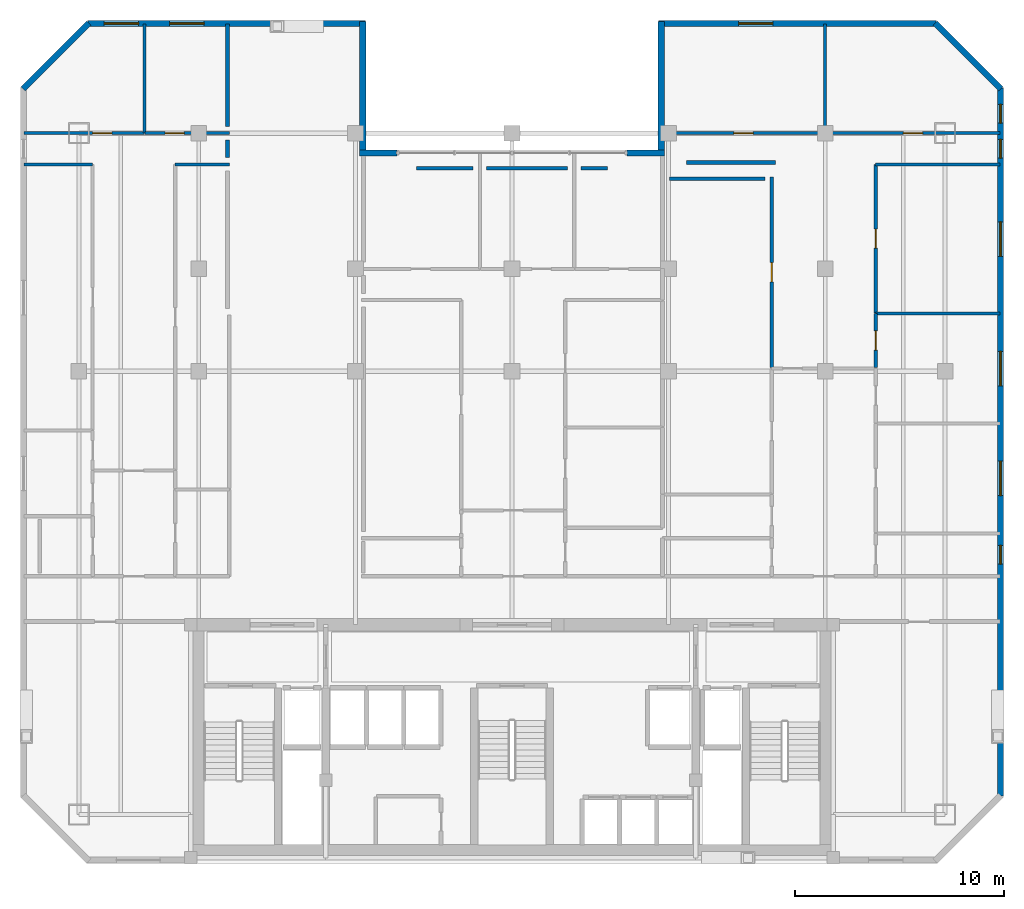
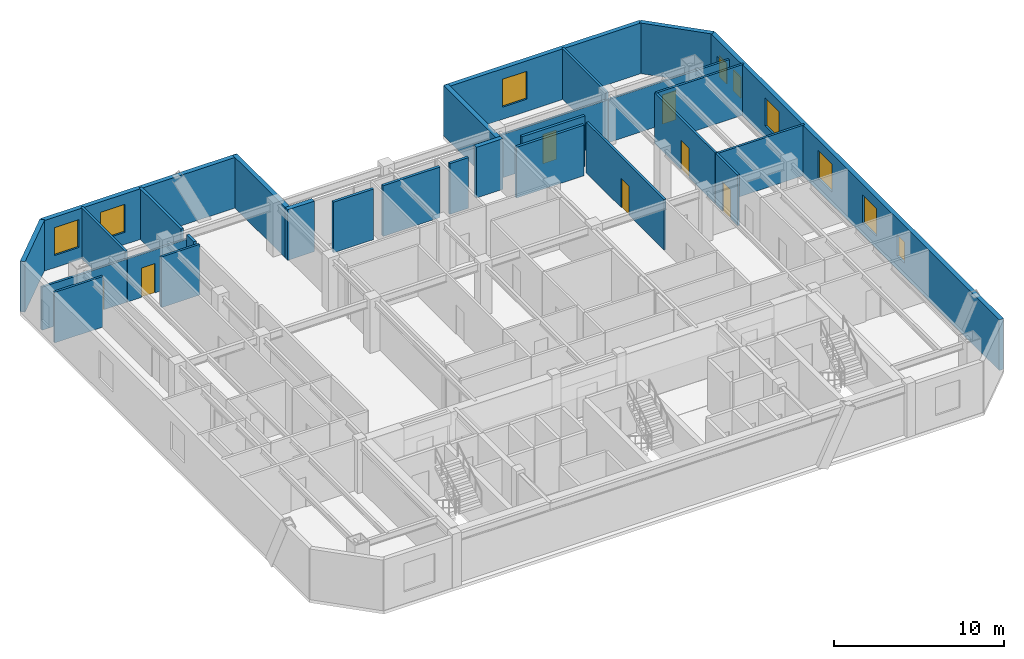
# One storey, part 8 of 10: 29 walls, 9 windows, 7 doors, 16 openings.
"""IFC4 building model written with IfcOpenShell, lengths in metres."""

from ifc_helpers import new_model, si_unit, direction, frame, frame_2d, origin, place, context, subcontext, project, spatial, rectangle, extrude, material, layer, layer_set, type_object, element, fill, save


model = new_model("IFC4")

# Units and contexts
model_context = context("Model", 3, precision=1e-05, world=origin(), true_north=direction((0.0, 1.0)))
body_context = subcontext(model_context, "Body", "Model", "MODEL_VIEW")
ifc_project = project(units=[si_unit("LENGTHUNIT", "METRE"), si_unit("AREAUNIT", "SQUARE_METRE"), si_unit("VOLUMEUNIT", "CUBIC_METRE"), si_unit("PLANEANGLEUNIT", "RADIAN"), si_unit("MASSUNIT", "GRAM", prefix="KILO")], contexts=[model_context])

# Site, building, storey
site_placement = place(None, origin())
site = spatial("IfcSite", under=ifc_project, at=site_placement, CompositionType="ELEMENT")
building_placement = place(site_placement, origin())
building = spatial("IfcBuilding", under=site, at=building_placement, Name="Ventersveld Concourse Tower", CompositionType="ELEMENT")
storey_placement = place(building_placement, frame((0.0, 0.0, 208.0)))
storey = spatial("IfcBuildingStorey", under=building, at=storey_placement, Name="L51", CompositionType="ELEMENT", Elevation=208.0)

# Walls
ifc_material_1 = material(Name="Fire-rated autoclaved aerated masonry blockwork", Category="masonry")
ifc_layer_1 = layer(ifc_material_1, 0.179931640625)
ifc_layer_set_1 = layer_set([ifc_layer_1], Name="Fire-rated autoclaved aerated masonry blockwork")
wall_type_1 = type_object("IfcWallType", Name="WL-CORR-180", PredefinedType="PARTITIONING", material=ifc_layer_set_1)
wall_1_placement = place(storey_placement, frame((15.1201171875, 34.675048828125, 0.0), z_axis=(0.0, 0.0, 1.0), x_axis=(0.0, -1.0, 0.0)))
element("IfcWall", 1, at=wall_1_placement, inside=storey, type_object=wall_type_1, Name="L51 Room Enclosure Wall SP-L51-51NW-LIV", PredefinedType="PARTITIONING", context=body_context, shape_type="SweptSolid", body=[
    extrude(rectangle(XDim=0.85009765625, YDim=0.179931640625, at=frame_2d((0.425048828125, 0.0))), origin(), (0.0, 0.0, 1.0), 3.6298828125),
])
wall_2_placement = place(storey_placement, frame((15.1201171875, 40.2275390625, 0.0), z_axis=(0.0, 0.0, 1.0), x_axis=(0.0, -1.0, 0.0)))
element("IfcWall", 2, at=wall_2_placement, inside=storey, type_object=wall_type_1, Name="L51 Room Enclosure Wall SP-L51-51NW-BR2", PredefinedType="PARTITIONING", context=body_context, shape_type="SweptSolid", body=[
    extrude(rectangle(XDim=4.902587890625, YDim=0.179931640625, at=frame_2d((2.451171875, 0.0))), origin(), (0.0, 0.0, 1.0), 3.6298828125),
])
wall_3_placement = place(storey_placement, frame((41.378173828125, 33.590087890625, 0.0), z_axis=(0.0, 0.0, 1.0), x_axis=(-1.0, 0.0, 0.0)))
element("IfcWall", 3, at=wall_3_placement, inside=storey, type_object=wall_type_1, Name="L51 Room Enclosure Wall SP-L51-51CE-LIV", PredefinedType="PARTITIONING", context=body_context, shape_type="SweptSolid", body=[
    extrude(rectangle(XDim=4.26171875, YDim=0.179931640625, at=frame_2d((2.130859375, 0.0))), origin(), (0.0, 0.0, 1.0), 3.6298828125),
])
wall_4_placement = place(storey_placement, frame((36.284912109375, 32.81005859375, 0.0), z_axis=(0.0, 0.0, 1.0), x_axis=(1.0, 0.0, 0.0)))
element("IfcWall", 4, at=wall_4_placement, inside=storey, type_object=wall_type_1, Name="L51 Room Enclosure Wall SP-L51-51CE-DENL", PredefinedType="PARTITIONING", context=body_context, shape_type="SweptSolid", body=[
    extrude(rectangle(XDim=4.583251953125, YDim=0.179931640625, at=frame_2d((2.29150390625, 0.0))), origin(), (0.0, 0.0, 1.0), 3.6298828125),
])
wall_5_placement = place(storey_placement, frame((24.16796875, 33.320068359375, 0.0), z_axis=(0.0, 0.0, 1.0), x_axis=(1.0, 0.0, 0.0)))
element("IfcWall", 5, at=wall_5_placement, inside=storey, type_object=wall_type_1, Name="L51 Room Enclosure Wall SP-L51-51CM-BR1", PredefinedType="PARTITIONING", context=body_context, shape_type="SweptSolid", body=[
    extrude(rectangle(XDim=2.72119140625, YDim=0.179931640625, at=frame_2d((1.360595703125, 0.0))), origin(), (0.0, 0.0, 1.0), 3.6298828125),
])
wall_6_placement = place(storey_placement, frame((27.539306640625, 33.320068359375, 0.0), z_axis=(0.0, 0.0, 1.0), x_axis=(1.0, 0.0, 0.0)))
element("IfcWall", 6, at=wall_6_placement, inside=storey, type_object=wall_type_1, Name="L51 Room Enclosure Wall SP-L51-51CM-BR2", PredefinedType="PARTITIONING", context=body_context, shape_type="SweptSolid", body=[
    extrude(rectangle(XDim=3.867431640625, YDim=0.179931640625, at=frame_2d((1.93359375, 0.0))), origin(), (0.0, 0.0, 1.0), 3.6298828125),
])
wall_7_placement = place(storey_placement, frame((32.056640625, 33.320068359375, 0.0), z_axis=(0.0, 0.0, 1.0), x_axis=(1.0, 0.0, 0.0)))
element("IfcWall", 7, at=wall_7_placement, inside=storey, type_object=wall_type_1, Name="L51 Room Enclosure Wall SP-L51-51CM-BR3", PredefinedType="PARTITIONING", context=body_context, shape_type="SweptSolid", body=[
    extrude(rectangle(XDim=1.275390625, YDim=0.179931640625, at=frame_2d((0.6376953125, 0.0))), origin(), (0.0, 0.0, 1.0), 3.6298828125),
])
ifc_material_2 = material(Name="Autoclaved aerated masonry blockwork", Category="masonry")
ifc_layer_2 = layer(ifc_material_2, 0.14990234375)
ifc_layer_set_2 = layer_set([ifc_layer_2], Name="Autoclaved aerated masonry blockwork")
wall_type_2 = type_object("IfcWallType", Name="WL-INT-150", PredefinedType="PARTITIONING", material=ifc_layer_set_2)
wall_8_placement = place(storey_placement, frame((5.37255859375, 33.5, 0.0), z_axis=(0.0, 0.0, 1.0), x_axis=(1.0, 0.0, 0.0)))
element("IfcWall", 8, at=wall_8_placement, inside=storey, type_object=wall_type_2, Name="L51 Interior Partition SP-L51-51NW-LIV-SP-L51-51NW-DENL", PredefinedType="PARTITIONING", context=body_context, shape_type="SweptSolid", body=[
    extrude(rectangle(XDim=3.291259765625, YDim=0.14990234375, at=frame_2d((1.6455078125, 0.0))), origin(), (0.0, 0.0, 1.0), 3.6298828125),
])
wall_9_placement = place(storey_placement, frame((12.61376953125, 33.5, 0.0), z_axis=(0.0, 0.0, 1.0), x_axis=(1.0, 0.0, 0.0)))
element("IfcWall", 9, at=wall_9_placement, inside=storey, type_object=wall_type_2, Name="L51 Interior Partition SP-L51-51NW-LIV-SP-L51-51NW-SEMR1", PredefinedType="PARTITIONING", context=body_context, shape_type="SweptSolid", body=[
    extrude(rectangle(XDim=2.601318359375, YDim=0.14990234375, at=frame_2d((1.30078125, 0.0))), origin(), (0.0, 0.0, 1.0), 3.6298828125),
])

# Wall, opening, door
wall_10_placement = place(storey_placement, frame((5.37255859375, 35.0, 0.0), z_axis=(0.0, 0.0, 1.0), x_axis=(1.0, 0.0, 0.0)))
wall_10 = element("IfcWall", 10, at=wall_10_placement, inside=storey, type_object=wall_type_2, Name="L51 Interior Partition SP-L51-51NW-LIV-SP-L51-51NW-BR1", PredefinedType="PARTITIONING", context=body_context, shape_type="SweptSolid", body=[
    extrude(rectangle(XDim=5.771240234375, YDim=0.14990234375, at=frame_2d((2.8857421875, 0.0))), origin(), (0.0, 0.0, 1.0), 3.08544921875),
])
opening_1_placement = place(wall_10_placement, frame((3.291259765625, 0.0, 0.0)))
opening_1 = element("IfcOpeningElement", 11, at=opening_1_placement, cuts=wall_10, Name="Opening ID1", PredefinedType="OPENING", context=body_context, shape_type="SweptSolid", body=[
    extrude(rectangle(XDim=0.919921875, YDim=2.10009765625, at=frame_2d((0.4599609375, 1.050048828125))), frame((0.0, 0.0849609375, 0.0), z_axis=(0.0, -1.0, 0.0), x_axis=(1.0, 0.0, 0.0)), (0.0, 0.0, 1.0), 0.169921875),
])
ifc_material_3 = material(Name="Solid-core hardwood veneer timber", Category="wood")
door_type = type_object("IfcDoorType", Name="DR-ROOM-092", OperationType="NOTDEFINED", PredefinedType="DOOR", material=ifc_material_3)
door_1_placement = place(opening_1_placement, origin())
door_1 = element("IfcDoor", 12, at=door_1_placement, inside=storey, type_object=door_type, Name="L51 Interior Door SP-L51-51NW-LIV to SP-L51-51NW-BR1 (D-L51-2488)", OperationType="SINGLE_SWING_RIGHT", OverallHeight=2.10009765625, OverallWidth=0.919921875, PredefinedType="DOOR", context=body_context, shape_type="SweptSolid", body=[
    extrude(rectangle(XDim=0.919921875, YDim=2.10009765625, at=frame_2d((0.4599609375, 1.050048828125))), frame((0.0, 0.02490234375, 0.0), z_axis=(0.0, -1.0, 0.0), x_axis=(1.0, 0.0, 0.0)), (0.0, 0.0, 1.0), 0.050048828125),
])
fill(opening_1, door_1)

wall_11_placement = place(storey_placement, frame((11.173828125, 35.0, 0.0), z_axis=(0.0, 0.0, 1.0), x_axis=(1.0, 0.0, 0.0)))
wall_11 = element("IfcWall", 13, at=wall_11_placement, inside=storey, type_object=wall_type_2, Name="L51 Interior Partition SP-L51-51NW-LIV-SP-L51-51NW-BR2", PredefinedType="PARTITIONING", context=body_context, shape_type="SweptSolid", body=[
    extrude(rectangle(XDim=4.041259765625, YDim=0.14990234375, at=frame_2d((2.0205078125, 0.0))), origin(), (0.0, 0.0, 1.0), 3.08544921875),
])
opening_2_placement = place(wall_11_placement, frame((0.954345703125, 0.0, 0.0)))
opening_2 = element("IfcOpeningElement", 14, at=opening_2_placement, cuts=wall_11, Name="Opening ID1", PredefinedType="OPENING", context=body_context, shape_type="SweptSolid", body=[
    extrude(rectangle(XDim=0.919921875, YDim=2.10009765625, at=frame_2d((0.4599609375, 1.050048828125))), frame((0.0, 0.0849609375, 0.0), z_axis=(0.0, -1.0, 0.0), x_axis=(1.0, 0.0, 0.0)), (0.0, 0.0, 1.0), 0.169921875),
])
door_2_placement = place(opening_2_placement, origin())
door_2 = element("IfcDoor", 15, at=door_2_placement, inside=storey, type_object=door_type, Name="L51 Interior Door SP-L51-51NW-LIV to SP-L51-51NW-BR2 (D-L51-2489)", OperationType="SINGLE_SWING_LEFT", OverallHeight=2.10009765625, OverallWidth=0.919921875, PredefinedType="DOOR", context=body_context, shape_type="SweptSolid", body=[
    extrude(rectangle(XDim=0.919921875, YDim=2.10009765625, at=frame_2d((0.4599609375, 1.050048828125))), frame((0.0, 0.02490234375, 0.0), z_axis=(0.0, -1.0, 0.0), x_axis=(1.0, 0.0, 0.0)), (0.0, 0.0, 1.0), 0.050048828125),
])
fill(opening_2, door_2)

# Wall
wall_12_placement = place(storey_placement, frame((11.138916015625, 34.9951171875, 0.0), z_axis=(0.0, 0.0, 1.0), x_axis=(0.0, 1.0, 0.0)))
element("IfcWall", 16, at=wall_12_placement, inside=storey, type_object=wall_type_2, Name="L51 Interior Partition SP-L51-51NW-BR1-SP-L51-51NW-BR2", PredefinedType="PARTITIONING", context=body_context, shape_type="SweptSolid", body=[
    extrude(rectangle(XDim=5.232421875, YDim=0.14990234375, at=frame_2d((2.6162109375, 0.0))), origin(), (0.0, 0.0, 1.0), 3.6298828125),
])

# Wall, opening, door
wall_13_placement = place(storey_placement, frame((41.193115234375, 23.76416015625, 0.0), z_axis=(0.0, 0.0, 1.0), x_axis=(0.0, 1.0, 0.0)))
wall_13 = element("IfcWall", 17, at=wall_13_placement, inside=storey, type_object=wall_type_2, Name="L51 Interior Partition SP-L51-51CE-LIV-SP-L51-51CE-DENL", PredefinedType="PARTITIONING", context=body_context, shape_type="SweptSolid", body=[
    extrude(rectangle(XDim=9.140869140625, YDim=0.14990234375, at=frame_2d((4.5703125, 0.0))), origin(), (0.0, 0.0, 1.0), 3.6298828125),
])
opening_3_placement = place(wall_13_placement, frame((4.110595703125, 0.0, 0.0)))
opening_3 = element("IfcOpeningElement", 18, at=opening_3_placement, cuts=wall_13, Name="Opening ID1", PredefinedType="OPENING", context=body_context, shape_type="SweptSolid", body=[
    extrude(rectangle(XDim=0.919921875, YDim=2.10009765625, at=frame_2d((0.4599609375, 1.050048828125))), frame((0.0, 0.0849609375, 0.0), z_axis=(0.0, -1.0, 0.0), x_axis=(1.0, 0.0, 0.0)), (0.0, 0.0, 1.0), 0.169921875),
])
door_3_placement = place(opening_3_placement, origin())
door_3 = element("IfcDoor", 19, at=door_3_placement, inside=storey, type_object=door_type, Name="L51 Interior Door SP-L51-51CE-LIV to SP-L51-51CE-DENL (D-L51-2497)", OperationType="SINGLE_SWING_LEFT", OverallHeight=2.10009765625, OverallWidth=0.919921875, PredefinedType="DOOR", context=body_context, shape_type="SweptSolid", body=[
    extrude(rectangle(XDim=0.919921875, YDim=2.10009765625, at=frame_2d((0.4599609375, 1.050048828125))), frame((0.0, 0.02490234375, 0.0), z_axis=(0.0, -1.0, 0.0), x_axis=(1.0, 0.0, 0.0)), (0.0, 0.0, 1.0), 0.050048828125),
])
fill(opening_3, door_3)

wall_14_placement = place(storey_placement, frame((46.173095703125, 23.76416015625, 0.0), z_axis=(0.0, 0.0, 1.0), x_axis=(0.0, 1.0, 0.0)))
wall_14 = element("IfcWall", 20, at=wall_14_placement, inside=storey, type_object=wall_type_2, Name="L51 Interior Partition SP-L51-51CE-LIV-SP-L51-51CE-DENS", PredefinedType="PARTITIONING", context=body_context, shape_type="SweptSolid", body=[
    extrude(rectangle(XDim=2.59423828125, YDim=0.14990234375, at=frame_2d((1.297119140625, 0.0))), origin(), (0.0, 0.0, 1.0), 3.6298828125),
])
opening_4_placement = place(wall_14_placement, frame((0.837158203125, 0.0, 0.0)))
opening_4 = element("IfcOpeningElement", 21, at=opening_4_placement, cuts=wall_14, Name="Opening ID1", PredefinedType="OPENING", context=body_context, shape_type="SweptSolid", body=[
    extrude(rectangle(XDim=0.919921875, YDim=2.10009765625, at=frame_2d((0.4599609375, 1.050048828125))), frame((0.0, 0.0849609375, 0.0), z_axis=(0.0, -1.0, 0.0), x_axis=(1.0, 0.0, 0.0)), (0.0, 0.0, 1.0), 0.169921875),
])
door_4_placement = place(opening_4_placement, origin())
door_4 = element("IfcDoor", 22, at=door_4_placement, inside=storey, type_object=door_type, Name="L51 Interior Door SP-L51-51CE-LIV to SP-L51-51CE-DENS (D-L51-2498)", OperationType="SINGLE_SWING_RIGHT", OverallHeight=2.10009765625, OverallWidth=0.919921875, PredefinedType="DOOR", context=body_context, shape_type="SweptSolid", body=[
    extrude(rectangle(XDim=0.919921875, YDim=2.10009765625, at=frame_2d((0.4599609375, 1.050048828125))), frame((0.0, 0.02490234375, 0.0), z_axis=(0.0, -1.0, 0.0), x_axis=(1.0, 0.0, 0.0)), (0.0, 0.0, 1.0), 0.050048828125),
])
fill(opening_4, door_4)

wall_15_placement = place(storey_placement, frame((46.173095703125, 26.388427734375, 0.0), z_axis=(0.0, 0.0, 1.0), x_axis=(0.0, 1.0, 0.0)))
wall_15 = element("IfcWall", 23, at=wall_15_placement, inside=storey, type_object=wall_type_2, Name="L51 Interior Partition SP-L51-51CE-LIV-SP-L51-51CE-DENS2", PredefinedType="PARTITIONING", context=body_context, shape_type="SweptSolid", body=[
    extrude(rectangle(XDim=7.116455078125, YDim=0.14990234375, at=frame_2d((3.55810546875, 0.0))), origin(), (0.0, 0.0, 1.0), 3.6298828125),
])
opening_5_placement = place(wall_15_placement, frame((3.098388671875, 0.0, 0.0)))
opening_5 = element("IfcOpeningElement", 24, at=opening_5_placement, cuts=wall_15, Name="Opening ID1", PredefinedType="OPENING", context=body_context, shape_type="SweptSolid", body=[
    extrude(rectangle(XDim=0.919921875, YDim=2.10009765625, at=frame_2d((0.4599609375, 1.050048828125))), frame((0.0, 0.0849609375, 0.0), z_axis=(0.0, -1.0, 0.0), x_axis=(1.0, 0.0, 0.0)), (0.0, 0.0, 1.0), 0.169921875),
])
door_5_placement = place(opening_5_placement, origin())
door_5 = element("IfcDoor", 25, at=door_5_placement, inside=storey, type_object=door_type, Name="L51 Interior Door SP-L51-51CE-LIV to SP-L51-51CE-DENS2 (D-L51-2499)", OperationType="SINGLE_SWING_LEFT", OverallHeight=2.10009765625, OverallWidth=0.919921875, PredefinedType="DOOR", context=body_context, shape_type="SweptSolid", body=[
    extrude(rectangle(XDim=0.919921875, YDim=2.10009765625, at=frame_2d((0.4599609375, 1.050048828125))), frame((0.0, 0.02490234375, 0.0), z_axis=(0.0, -1.0, 0.0), x_axis=(1.0, 0.0, 0.0)), (0.0, 0.0, 1.0), 0.050048828125),
])
fill(opening_5, door_5)

# Wall
wall_16_placement = place(storey_placement, frame((46.168212890625, 33.5, 0.0), z_axis=(0.0, 0.0, 1.0), x_axis=(1.0, 0.0, 0.0)))
element("IfcWall", 26, at=wall_16_placement, inside=storey, type_object=wall_type_2, Name="L51 Interior Partition SP-L51-51CE-LIV-SP-L51-51CE-DENS2", PredefinedType="PARTITIONING", context=body_context, shape_type="SweptSolid", body=[
    extrude(rectangle(XDim=5.959228515625, YDim=0.14990234375, at=frame_2d((2.9794921875, 0.0))), origin(), (0.0, 0.0, 1.0), 3.6298828125),
])

# Wall, opening, door
wall_17_placement = place(storey_placement, frame((35.922607421875, 35.0, 0.0), z_axis=(0.0, 0.0, 1.0), x_axis=(1.0, 0.0, 0.0)))
wall_17 = element("IfcWall", 27, at=wall_17_placement, inside=storey, type_object=wall_type_2, Name="L51 Interior Partition SP-L51-51CE-LIV-SP-L51-51CE-BR1", PredefinedType="PARTITIONING", context=body_context, shape_type="SweptSolid", body=[
    extrude(rectangle(XDim=7.832275390625, YDim=0.14990234375, at=frame_2d((3.916015625, 0.0))), origin(), (0.0, 0.0, 1.0), 3.08544921875),
])
opening_6_placement = place(wall_17_placement, frame((3.456298828125, 0.0, 0.0)))
opening_6 = element("IfcOpeningElement", 28, at=opening_6_placement, cuts=wall_17, Name="Opening ID1", PredefinedType="OPENING", context=body_context, shape_type="SweptSolid", body=[
    extrude(rectangle(XDim=0.919921875, YDim=2.10009765625, at=frame_2d((0.4599609375, 1.050048828125))), frame((0.0, 0.0849609375, 0.0), z_axis=(0.0, -1.0, 0.0), x_axis=(1.0, 0.0, 0.0)), (0.0, 0.0, 1.0), 0.169921875),
])
door_6_placement = place(opening_6_placement, origin())
door_6 = element("IfcDoor", 29, at=door_6_placement, inside=storey, type_object=door_type, Name="L51 Interior Door SP-L51-51CE-LIV to SP-L51-51CE-BR1 (D-L51-2500)", OperationType="SINGLE_SWING_RIGHT", OverallHeight=2.10009765625, OverallWidth=0.919921875, PredefinedType="DOOR", context=body_context, shape_type="SweptSolid", body=[
    extrude(rectangle(XDim=0.919921875, YDim=2.10009765625, at=frame_2d((0.4599609375, 1.050048828125))), frame((0.0, 0.02490234375, 0.0), z_axis=(0.0, -1.0, 0.0), x_axis=(1.0, 0.0, 0.0)), (0.0, 0.0, 1.0), 0.050048828125),
])
fill(opening_6, door_6)

wall_18_placement = place(storey_placement, frame((43.784912109375, 35.0, 0.0), z_axis=(0.0, 0.0, 1.0), x_axis=(1.0, 0.0, 0.0)))
wall_18 = element("IfcWall", 30, at=wall_18_placement, inside=storey, type_object=wall_type_2, Name="L51 Interior Partition SP-L51-51CE-LIV-SP-L51-51CE-BR2", PredefinedType="PARTITIONING", context=body_context, shape_type="SweptSolid", body=[
    extrude(rectangle(XDim=8.342529296875, YDim=0.14990234375, at=frame_2d((4.17138671875, 0.0))), origin(), (0.0, 0.0, 1.0), 3.08544921875),
])
opening_7_placement = place(wall_18_placement, frame((3.711181640625, 0.0, 0.0)))
opening_7 = element("IfcOpeningElement", 31, at=opening_7_placement, cuts=wall_18, Name="Opening ID1", PredefinedType="OPENING", context=body_context, shape_type="SweptSolid", body=[
    extrude(rectangle(XDim=0.919921875, YDim=2.10009765625, at=frame_2d((0.4599609375, 1.050048828125))), frame((0.0, 0.0849609375, 0.0), z_axis=(0.0, -1.0, 0.0), x_axis=(1.0, 0.0, 0.0)), (0.0, 0.0, 1.0), 0.169921875),
])
door_7_placement = place(opening_7_placement, origin())
door_7 = element("IfcDoor", 32, at=door_7_placement, inside=storey, type_object=door_type, Name="L51 Interior Door SP-L51-51CE-LIV to SP-L51-51CE-BR2 (D-L51-2501)", OperationType="SINGLE_SWING_LEFT", OverallHeight=2.10009765625, OverallWidth=0.919921875, PredefinedType="DOOR", context=body_context, shape_type="SweptSolid", body=[
    extrude(rectangle(XDim=0.919921875, YDim=2.10009765625, at=frame_2d((0.4599609375, 1.050048828125))), frame((0.0, 0.02490234375, 0.0), z_axis=(0.0, -1.0, 0.0), x_axis=(1.0, 0.0, 0.0)), (0.0, 0.0, 1.0), 0.050048828125),
])
fill(opening_7, door_7)

# Walls
wall_19_placement = place(storey_placement, frame((46.168212890625, 26.353515625, 0.0), z_axis=(0.0, 0.0, 1.0), x_axis=(1.0, 0.0, 0.0)))
element("IfcWall", 33, at=wall_19_placement, inside=storey, type_object=wall_type_2, Name="L51 Interior Partition SP-L51-51CE-DENS-SP-L51-51CE-DENS2", PredefinedType="PARTITIONING", context=body_context, shape_type="SweptSolid", body=[
    extrude(rectangle(XDim=5.959228515625, YDim=0.14990234375, at=frame_2d((2.9794921875, 0.0))), origin(), (0.0, 0.0, 1.0), 3.6298828125),
])
wall_20_placement = place(storey_placement, frame((43.75, 34.9951171875, 0.0), z_axis=(0.0, 0.0, 1.0), x_axis=(0.0, 1.0, 0.0)))
element("IfcWall", 34, at=wall_20_placement, inside=storey, type_object=wall_type_2, Name="L51 Interior Partition SP-L51-51CE-BR1-SP-L51-51CE-BR2", PredefinedType="PARTITIONING", context=body_context, shape_type="SweptSolid", body=[
    extrude(rectangle(XDim=5.232421875, YDim=0.14990234375, at=frame_2d((2.6162109375, 0.0))), origin(), (0.0, 0.0, 1.0), 3.6298828125),
])

# Wall, openings, windows
ifc_material_4 = material(Name="Precast concrete C45/55", Category="concrete")
ifc_layer_3 = layer(ifc_material_4, 0.300048828125)
ifc_layer_set_3 = layer_set([ifc_layer_3], Name="Precast concrete C45/55")
wall_type_3 = type_object("IfcWallType", Name="WL-PREC-300", PredefinedType="SOLIDWALL", material=ifc_layer_set_3)
wall_21_placement = place(storey_placement, frame((52.14990234375, 3.239990234375, 0.0), z_axis=(0.0, 0.0, 1.0), x_axis=(0.0, 1.0, 0.0)))
wall_21 = element("IfcWall", 35, at=wall_21_placement, inside=storey, type_object=wall_type_3, Name="L51 Highveld Precast Facade Wall E03", PredefinedType="SOLIDWALL", context=body_context, shape_type="SweptSolid", body=[
    extrude(rectangle(XDim=33.919921875, YDim=0.300048828125, at=frame_2d((16.9599609375, 0.0))), origin(), (0.0, 0.0, 1.0), 3.6298828125),
])
opening_8_placement = place(wall_21_placement, frame((30.56005859375, 0.0, 0.949951171875)))
opening_8 = element("IfcOpeningElement", 36, at=opening_8_placement, cuts=wall_21, Name="Opening W4", PredefinedType="OPENING", context=body_context, shape_type="SweptSolid", body=[
    extrude(rectangle(XDim=0.89990234375, YDim=1.5, at=frame_2d((0.449951171875, 0.75))), frame((0.0, 0.16015625, 0.0), z_axis=(0.0, -1.0, 0.0), x_axis=(1.0, 0.0, 0.0)), (0.0, 0.0, 1.0), 0.320068359375),
])
opening_9_placement = place(wall_21_placement, frame((11.108154296875, 0.0, 0.949951171875)))
opening_9 = element("IfcOpeningElement", 37, at=opening_9_placement, cuts=wall_21, Name="Opening W4", PredefinedType="OPENING", context=body_context, shape_type="SweptSolid", body=[
    extrude(rectangle(XDim=0.89990234375, YDim=1.5, at=frame_2d((0.449951171875, 0.75))), frame((0.0, 0.16015625, 0.0), z_axis=(0.0, -1.0, 0.0), x_axis=(1.0, 0.0, 0.0)), (0.0, 0.0, 1.0), 0.320068359375),
])
opening_10_placement = place(wall_21_placement, frame((14.39306640625, 0.0, 0.8798828125)))
opening_10 = element("IfcOpeningElement", 38, at=opening_10_placement, cuts=wall_21, Name="Opening W6", PredefinedType="OPENING", context=body_context, shape_type="SweptSolid", body=[
    extrude(rectangle(XDim=1.64990234375, YDim=2.0, at=frame_2d((0.824951171875, 1.0))), frame((0.0, 0.16015625, 0.0), z_axis=(0.0, -1.0, 0.0), x_axis=(1.0, 0.0, 0.0)), (0.0, 0.0, 1.0), 0.320068359375),
])
opening_11_placement = place(wall_21_placement, frame((19.65673828125, 0.0, 0.8798828125)))
opening_11 = element("IfcOpeningElement", 39, at=opening_11_placement, cuts=wall_21, Name="Opening W6", PredefinedType="OPENING", context=body_context, shape_type="SweptSolid", body=[
    extrude(rectangle(XDim=1.64990234375, YDim=2.0, at=frame_2d((0.824951171875, 1.0))), frame((0.0, 0.16015625, 0.0), z_axis=(0.0, -1.0, 0.0), x_axis=(1.0, 0.0, 0.0)), (0.0, 0.0, 1.0), 0.320068359375),
])
opening_12_placement = place(wall_21_placement, frame((25.86181640625, 0.0, 0.8798828125)))
opening_12 = element("IfcOpeningElement", 40, at=opening_12_placement, cuts=wall_21, Name="Opening W6", PredefinedType="OPENING", context=body_context, shape_type="SweptSolid", body=[
    extrude(rectangle(XDim=1.64990234375, YDim=2.0, at=frame_2d((0.824951171875, 1.0))), frame((0.0, 0.16015625, 0.0), z_axis=(0.0, -1.0, 0.0), x_axis=(1.0, 0.0, 0.0)), (0.0, 0.0, 1.0), 0.320068359375),
])
opening_13_placement = place(wall_21_placement, frame((32.239990234375, 0.0, 0.949951171875)))
opening_13 = element("IfcOpeningElement", 41, at=opening_13_placement, cuts=wall_21, Name="Opening W4", PredefinedType="OPENING", context=body_context, shape_type="SweptSolid", body=[
    extrude(rectangle(XDim=0.89990234375, YDim=1.5, at=frame_2d((0.449951171875, 0.75))), frame((0.0, 0.16015625, 0.0), z_axis=(0.0, -1.0, 0.0), x_axis=(1.0, 0.0, 0.0)), (0.0, 0.0, 1.0), 0.320068359375),
])
ifc_material_5 = material(Name="Tempered acoustic Low-E IGU", Category="glass")
window_type_1 = type_object("IfcWindowType", Name="WIN-090x150", PartitioningType="SINGLE_PANEL", PredefinedType="WINDOW", material=ifc_material_5)
window_1_placement = place(opening_8_placement, origin())
window_1 = element("IfcWindow", 42, at=window_1_placement, inside=storey, type_object=window_type_1, Name="L51 Punched Low-E Window W-0724", OverallHeight=1.5, OverallWidth=0.89990234375, PartitioningType="SINGLE_PANEL", PredefinedType="WINDOW", context=body_context, shape_type="SweptSolid", body=[
    extrude(rectangle(XDim=0.89990234375, YDim=1.5, at=frame_2d((0.449951171875, 0.75))), frame((0.0, 0.030029296875, 0.0), z_axis=(0.0, -1.0, 0.0), x_axis=(1.0, 0.0, 0.0)), (0.0, 0.0, 1.0), 0.06005859375),
])
fill(opening_8, window_1)
window_2_placement = place(opening_9_placement, origin())
window_2 = element("IfcWindow", 43, at=window_2_placement, inside=storey, type_object=window_type_1, Name="L51 Punched Low-E Window W-0725", OverallHeight=1.5, OverallWidth=0.89990234375, PartitioningType="SINGLE_PANEL", PredefinedType="WINDOW", context=body_context, shape_type="SweptSolid", body=[
    extrude(rectangle(XDim=0.89990234375, YDim=1.5, at=frame_2d((0.449951171875, 0.75))), frame((0.0, 0.030029296875, 0.0), z_axis=(0.0, -1.0, 0.0), x_axis=(1.0, 0.0, 0.0)), (0.0, 0.0, 1.0), 0.06005859375),
])
fill(opening_9, window_2)
window_3_placement = place(opening_13_placement, origin())
window_3 = element("IfcWindow", 44, at=window_3_placement, inside=storey, type_object=window_type_1, Name="L51 Punched Low-E Window W-0730", OverallHeight=1.5, OverallWidth=0.89990234375, PartitioningType="SINGLE_PANEL", PredefinedType="WINDOW", context=body_context, shape_type="SweptSolid", body=[
    extrude(rectangle(XDim=0.89990234375, YDim=1.5, at=frame_2d((0.449951171875, 0.75))), frame((0.0, 0.030029296875, 0.0), z_axis=(0.0, -1.0, 0.0), x_axis=(1.0, 0.0, 0.0)), (0.0, 0.0, 1.0), 0.06005859375),
])
fill(opening_13, window_3)
window_type_2 = type_object("IfcWindowType", Name="WIN-165x200", PartitioningType="SINGLE_PANEL", PredefinedType="WINDOW", material=ifc_material_5)
window_4_placement = place(opening_10_placement, origin())
window_4 = element("IfcWindow", 45, at=window_4_placement, inside=storey, type_object=window_type_2, Name="L51 Punched Low-E Window W-0726", OverallHeight=2.0, OverallWidth=1.64990234375, PartitioningType="SINGLE_PANEL", PredefinedType="WINDOW", context=body_context, shape_type="SweptSolid", body=[
    extrude(rectangle(XDim=1.64990234375, YDim=2.0, at=frame_2d((0.824951171875, 1.0))), frame((0.0, 0.030029296875, 0.0), z_axis=(0.0, -1.0, 0.0), x_axis=(1.0, 0.0, 0.0)), (0.0, 0.0, 1.0), 0.06005859375),
])
fill(opening_10, window_4)
window_5_placement = place(opening_11_placement, origin())
window_5 = element("IfcWindow", 46, at=window_5_placement, inside=storey, type_object=window_type_2, Name="L51 Punched Low-E Window W-0727", OverallHeight=2.0, OverallWidth=1.64990234375, PartitioningType="SINGLE_PANEL", PredefinedType="WINDOW", context=body_context, shape_type="SweptSolid", body=[
    extrude(rectangle(XDim=1.64990234375, YDim=2.0, at=frame_2d((0.824951171875, 1.0))), frame((0.0, 0.030029296875, 0.0), z_axis=(0.0, -1.0, 0.0), x_axis=(1.0, 0.0, 0.0)), (0.0, 0.0, 1.0), 0.06005859375),
])
fill(opening_11, window_5)
window_6_placement = place(opening_12_placement, origin())
window_6 = element("IfcWindow", 47, at=window_6_placement, inside=storey, type_object=window_type_2, Name="L51 Punched Low-E Window W-0728", OverallHeight=2.0, OverallWidth=1.64990234375, PartitioningType="SINGLE_PANEL", PredefinedType="WINDOW", context=body_context, shape_type="SweptSolid", body=[
    extrude(rectangle(XDim=1.64990234375, YDim=2.0, at=frame_2d((0.824951171875, 1.0))), frame((0.0, 0.030029296875, 0.0), z_axis=(0.0, -1.0, 0.0), x_axis=(1.0, 0.0, 0.0)), (0.0, 0.0, 1.0), 0.06005859375),
])
fill(opening_12, window_6)

# Wall
wall_22_placement = place(storey_placement, frame((52.16552734375, 37.122314453125, 0.0), z_axis=(0.0, 0.0, 1.0), x_axis=(-0.707106781187, 0.707106781187, 0.0)))
element("IfcWall", 48, at=wall_22_placement, inside=storey, type_object=wall_type_3, Name="L51 Highveld Precast Facade Wall E04", PredefinedType="SOLIDWALL", context=body_context, shape_type="SweptSolid", body=[
    extrude(rectangle(XDim=4.4453125, YDim=0.300048828125, at=frame_2d((2.22265625, 0.0))), origin(), (0.0, 0.0, 1.0), 3.6298828125),
])

# Wall, opening, window
wall_23_placement = place(storey_placement, frame((49.06005859375, 40.25, 0.0), z_axis=(0.0, 0.0, 1.0), x_axis=(-1.0, 0.0, 0.0)))
wall_23 = element("IfcWall", 49, at=wall_23_placement, inside=storey, type_object=wall_type_3, Name="L51 Highveld Precast Facade Wall E05", PredefinedType="SOLIDWALL", context=body_context, shape_type="SweptSolid", body=[
    extrude(rectangle(XDim=13.27001953125, YDim=0.300048828125, at=frame_2d((6.635009765625, 0.0))), origin(), (0.0, 0.0, 1.0), 3.6298828125),
])
opening_14_placement = place(wall_23_placement, frame((7.808837890625, 0.0, 0.8798828125)))
opening_14 = element("IfcOpeningElement", 50, at=opening_14_placement, cuts=wall_23, Name="Opening W6", PredefinedType="OPENING", context=body_context, shape_type="SweptSolid", body=[
    extrude(rectangle(XDim=1.64990234375, YDim=2.0, at=frame_2d((0.824951171875, 1.0))), frame((0.0, 0.16015625, 0.0), z_axis=(0.0, -1.0, 0.0), x_axis=(1.0, 0.0, 0.0)), (0.0, 0.0, 1.0), 0.320068359375),
])
window_7_placement = place(opening_14_placement, origin())
window_7 = element("IfcWindow", 51, at=window_7_placement, inside=storey, type_object=window_type_2, Name="L51 Punched Low-E Window W-0729", OverallHeight=2.0, OverallWidth=1.64990234375, PartitioningType="SINGLE_PANEL", PredefinedType="WINDOW", context=body_context, shape_type="SweptSolid", body=[
    extrude(rectangle(XDim=1.64990234375, YDim=2.0, at=frame_2d((0.824951171875, 1.0))), frame((0.0, 0.030029296875, 0.0), z_axis=(0.0, -1.0, 0.0), x_axis=(1.0, 0.0, 0.0)), (0.0, 0.0, 1.0), 0.06005859375),
])
fill(opening_14, window_7)

# Walls
wall_24_placement = place(storey_placement, frame((35.89990234375, 40.360107421875, 0.0), z_axis=(0.0, 0.0, 1.0), x_axis=(0.0, -1.0, 0.0)))
element("IfcWall", 52, at=wall_24_placement, inside=storey, type_object=wall_type_3, Name="L51 Highveld Precast Facade Wall E06", PredefinedType="SOLIDWALL", context=body_context, shape_type="SweptSolid", body=[
    extrude(rectangle(XDim=6.16015625, YDim=0.300048828125, at=frame_2d((3.080078125, 0.0))), origin(), (0.0, 0.0, 1.0), 3.6298828125),
])
for number, where, z_axis, x_axis, name in (
    (53, (21.449951171875, 34.050048828125, 0.0), (0.0, 0.0, 1.0), (1.0, 0.0, 0.0), "L51 Sky Garden West Pier"),
    (54, (34.25, 34.050048828125, 0.0), (0.0, 0.0, 1.0), (1.0, 0.0, 0.0), "L51 Sky Garden East Pier"),
):
    element("IfcWall", number, at=place(storey_placement, frame(where, z_axis=z_axis, x_axis=x_axis)), inside=storey, type_object=wall_type_3, Name=name, PredefinedType="SOLIDWALL", context=body_context, shape_type="SweptSolid", body=[
        extrude(rectangle(XDim=1.800048828125, YDim=0.300048828125, at=frame_2d((0.89990234375, 0.0))), origin(), (0.0, 0.0, 1.0), 3.6298828125),
    ])
wall_25_placement = place(storey_placement, frame((21.60009765625, 34.199951171875, 0.0), z_axis=(0.0, 0.0, 1.0), x_axis=(0.0, 1.0, 0.0)))
element("IfcWall", 55, at=wall_25_placement, inside=storey, type_object=wall_type_3, Name="L51 Highveld Precast Facade Wall E08", PredefinedType="SOLIDWALL", context=body_context, shape_type="SweptSolid", body=[
    extrude(rectangle(XDim=6.16015625, YDim=0.300048828125, at=frame_2d((3.080078125, 0.0))), origin(), (0.0, 0.0, 1.0), 3.6298828125),
])

# Wall, openings, windows
wall_26_placement = place(storey_placement, frame((21.7099609375, 40.25, 0.0), z_axis=(0.0, 0.0, 1.0), x_axis=(-1.0, 0.0, 0.0)))
wall_26 = element("IfcWall", 56, at=wall_26_placement, inside=storey, type_object=wall_type_3, Name="L51 Highveld Precast Facade Wall E09", PredefinedType="SOLIDWALL", context=body_context, shape_type="SweptSolid", body=[
    extrude(rectangle(XDim=13.27001953125, YDim=0.300048828125, at=frame_2d((6.635009765625, 0.0))), origin(), (0.0, 0.0, 1.0), 3.6298828125),
])
opening_15_placement = place(wall_26_placement, frame((10.85009765625, 0.0, 0.8798828125)))
opening_15 = element("IfcOpeningElement", 57, at=opening_15_placement, cuts=wall_26, Name="Opening W6", PredefinedType="OPENING", context=body_context, shape_type="SweptSolid", body=[
    extrude(rectangle(XDim=1.64990234375, YDim=2.0, at=frame_2d((0.824951171875, 1.0))), frame((0.0, 0.16015625, 0.0), z_axis=(0.0, -1.0, 0.0), x_axis=(1.0, 0.0, 0.0)), (0.0, 0.0, 1.0), 0.320068359375),
])
opening_16_placement = place(wall_26_placement, frame((7.710693359375, 0.0, 0.8798828125)))
opening_16 = element("IfcOpeningElement", 58, at=opening_16_placement, cuts=wall_26, Name="Opening W6", PredefinedType="OPENING", context=body_context, shape_type="SweptSolid", body=[
    extrude(rectangle(XDim=1.64990234375, YDim=2.0, at=frame_2d((0.824951171875, 1.0))), frame((0.0, 0.16015625, 0.0), z_axis=(0.0, -1.0, 0.0), x_axis=(1.0, 0.0, 0.0)), (0.0, 0.0, 1.0), 0.320068359375),
])
window_8_placement = place(opening_15_placement, origin())
window_8 = element("IfcWindow", 59, at=window_8_placement, inside=storey, type_object=window_type_2, Name="L51 Punched Low-E Window W-0722", OverallHeight=2.0, OverallWidth=1.64990234375, PartitioningType="SINGLE_PANEL", PredefinedType="WINDOW", context=body_context, shape_type="SweptSolid", body=[
    extrude(rectangle(XDim=1.64990234375, YDim=2.0, at=frame_2d((0.824951171875, 1.0))), frame((0.0, 0.030029296875, 0.0), z_axis=(0.0, -1.0, 0.0), x_axis=(1.0, 0.0, 0.0)), (0.0, 0.0, 1.0), 0.06005859375),
])
fill(opening_15, window_8)
window_9_placement = place(opening_16_placement, origin())
window_9 = element("IfcWindow", 60, at=window_9_placement, inside=storey, type_object=window_type_2, Name="L51 Punched Low-E Window W-0723", OverallHeight=2.0, OverallWidth=1.64990234375, PartitioningType="SINGLE_PANEL", PredefinedType="WINDOW", context=body_context, shape_type="SweptSolid", body=[
    extrude(rectangle(XDim=1.64990234375, YDim=2.0, at=frame_2d((0.824951171875, 1.0))), frame((0.0, 0.030029296875, 0.0), z_axis=(0.0, -1.0, 0.0), x_axis=(1.0, 0.0, 0.0)), (0.0, 0.0, 1.0), 0.06005859375),
])
fill(opening_16, window_9)

# Wall
wall_27_placement = place(storey_placement, frame((8.477783203125, 40.265625, 0.0), z_axis=(0.0, 0.0, 1.0), x_axis=(-0.707106781187, -0.707106781187, 0.0)))
element("IfcWall", 61, at=wall_27_placement, inside=storey, type_object=wall_type_3, Name="L51 Highveld Precast Facade Wall E10", PredefinedType="SOLIDWALL", context=body_context, shape_type="SweptSolid", body=[
    extrude(rectangle(XDim=4.4453125, YDim=0.300048828125, at=frame_2d((2.22265625, 0.0))), origin(), (0.0, 0.0, 1.0), 3.6298828125),
])

save(model, "model.ifc")
